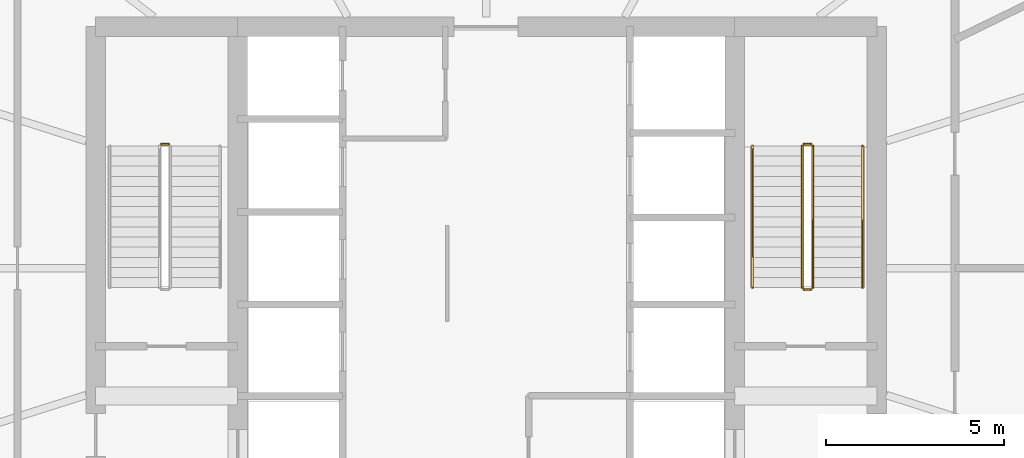
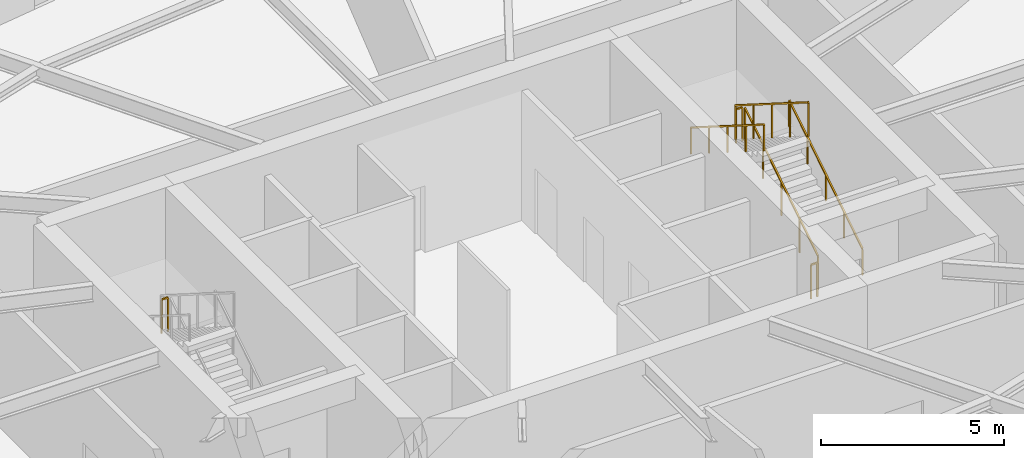
# One storey, part 25 of 25: 7 railings.
"""IFC4 building model written with IfcOpenShell, lengths in metres."""

from ifc_helpers import new_model, si_unit, direction, frame, origin, origin_2d, place, context, subcontext, project, spatial, rectangle, extrude, material, type_object, element, save


model = new_model("IFC4")

# Units and contexts
model_context = context("Model", 3, precision=1e-05, world=origin(), true_north=direction((0.0, 1.0)))
body_context = subcontext(model_context, "Body", "Model", "MODEL_VIEW")
ifc_project = project(units=[si_unit("LENGTHUNIT", "METRE"), si_unit("AREAUNIT", "SQUARE_METRE"), si_unit("VOLUMEUNIT", "CUBIC_METRE"), si_unit("PLANEANGLEUNIT", "RADIAN"), si_unit("MASSUNIT", "GRAM", prefix="KILO")], contexts=[model_context])

# Site, building, storey
site_placement = place(None, origin())
site = spatial("IfcSite", under=ifc_project, at=site_placement, CompositionType="ELEMENT")
building_placement = place(site_placement, origin())
building = spatial("IfcBuilding", under=site, at=building_placement, Name="Sarneth Arch Tower", CompositionType="ELEMENT")
storey_placement = place(building_placement, frame((0.0, 0.0, 134.39990234375)))
storey = spatial("IfcBuildingStorey", under=building, at=storey_placement, Name="L34", CompositionType="ELEMENT", Elevation=134.39990234375)

# Railings
ifc_material_1 = material(Name="Brushed Stainless Steel 304 tubular handrail", Category="steel")
railing_type_1 = type_object("IfcRailingType", Name="RAIL-HANDRAIL-900", PredefinedType="HANDRAIL", material=ifc_material_1)
railing_1_placement = place(storey_placement, frame((58.60009765625, 41.449951171875, 0.18017578125)))
element("IfcRailing", 1, at=railing_1_placement, inside=storey, type_object=railing_type_1, Name="L34 ST-2 stair handrail 1", PredefinedType="HANDRAIL", context=body_context, shape_type="SweptSolid", body=[
    extrude(rectangle(XDim=0.048095703125, YDim=0.048095703125, at=origin_2d()), frame((0.0, 0.0, 0.8759765625), z_axis=(0.0, 0.845486444383, 0.533996884227), x_axis=(-1.0, 0.0, 0.0)), (0.0, 0.0, 1.0), 4.71923828125),
    extrude(rectangle(XDim=0.0419921875, YDim=0.0419921875, at=origin_2d()), origin(), (0.0, 0.0, 1.0), 0.851806640625),
    extrude(rectangle(XDim=0.0419921875, YDim=0.0419921875, at=origin_2d()), frame((0.0, 0.99755859375, 0.6298828125)), (0.0, 0.0, 1.0), 0.851806640625),
    extrude(rectangle(XDim=0.0419921875, YDim=0.0419921875, at=origin_2d()), frame((0.0, 1.9951171875, 1.260009765625)), (0.0, 0.0, 1.0), 0.851806640625),
    extrude(rectangle(XDim=0.0419921875, YDim=0.0419921875, at=origin_2d()), frame((0.0, 2.992431640625, 1.89013671875)), (0.0, 0.0, 1.0), 0.851806640625),
    extrude(rectangle(XDim=0.0419921875, YDim=0.0419921875, at=origin_2d()), frame((0.0, 3.989990234375, 2.52001953125)), (0.0, 0.0, 1.0), 0.851806640625),
])
railing_2_placement = place(storey_placement, frame((55.5, 45.43994140625, 2.880126953125)))
element("IfcRailing", 2, at=railing_2_placement, inside=storey, type_object=railing_type_1, Name="L34 ST-2 stair handrail 2", PredefinedType="HANDRAIL", context=body_context, shape_type="SweptSolid", body=[
    extrude(rectangle(XDim=0.048095703125, YDim=0.048095703125, at=origin_2d()), frame((0.0, 0.0, 0.8759765625), z_axis=(0.0, -0.845486444383, 0.533996884227), x_axis=(1.0, 0.0, 0.0)), (0.0, 0.0, 1.0), 4.71923828125),
    extrude(rectangle(XDim=0.0419921875, YDim=0.0419921875, at=origin_2d()), origin(), (0.0, 0.0, 1.0), 0.851806640625),
    extrude(rectangle(XDim=0.0419921875, YDim=0.0419921875, at=origin_2d()), frame((0.0, -0.99755859375, 0.6298828125)), (0.0, 0.0, 1.0), 0.851806640625),
    extrude(rectangle(XDim=0.0419921875, YDim=0.0419921875, at=origin_2d()), frame((0.0, -1.9951171875, 1.260009765625)), (0.0, 0.0, 1.0), 0.851806640625),
    extrude(rectangle(XDim=0.0419921875, YDim=0.0419921875, at=origin_2d()), frame((0.0, -2.992431640625, 1.89013671875)), (0.0, 0.0, 1.0), 0.851806640625),
    extrude(rectangle(XDim=0.0419921875, YDim=0.0419921875, at=origin_2d()), frame((0.0, -3.989990234375, 2.52001953125)), (0.0, 0.0, 1.0), 0.851806640625),
])
ifc_material_2 = material(Name="Painted Steel S275 stair well guard", Category="steel")
railing_type_2 = type_object("IfcRailingType", Name="RAIL-STAIR-GUARD", PredefinedType="GUARDRAIL", material=ifc_material_2)
railing_3_placement = place(storey_placement, frame((39.050048828125, 45.489990234375, 2.7001953125)))
element("IfcRailing", 3, at=railing_3_placement, inside=storey, type_object=railing_type_2, Name="L34 ST-1 stair guard 2", PredefinedType="GUARDRAIL", context=body_context, shape_type="SweptSolid", body=[
    extrude(rectangle(XDim=0.048095703125, YDim=0.048095703125, at=origin_2d()), frame((0.0, 0.0, 1.1259765625), z_axis=(-1.0, 0.0, 0.0), x_axis=(0.0, -1.0, 0.0)), (0.0, 0.0, 1.0), 0.199951171875),
    extrude(rectangle(XDim=0.0419921875, YDim=0.0419921875, at=origin_2d()), origin(), (0.0, 0.0, 1.0), 1.101806640625),
    extrude(rectangle(XDim=0.0419921875, YDim=0.0419921875, at=origin_2d()), frame((-0.199951171875, 0.0, 0.0)), (0.0, 0.0, 1.0), 1.101806640625),
])
railing_4_placement = place(storey_placement, frame((57.199951171875, 41.449951171875, 0.18017578125)))
element("IfcRailing", 4, at=railing_4_placement, inside=storey, type_object=railing_type_2, Name="L34 ST-2 stair guard 1", PredefinedType="GUARDRAIL", context=body_context, shape_type="SweptSolid", body=[
    extrude(rectangle(XDim=0.048095703125, YDim=0.048095703125, at=origin_2d()), frame((0.0, 0.0, 1.1259765625), z_axis=(0.0, 0.845486444383, 0.533996884227), x_axis=(-1.0, 0.0, 0.0)), (0.0, 0.0, 1.0), 4.71923828125),
    extrude(rectangle(XDim=0.0419921875, YDim=0.0419921875, at=origin_2d()), origin(), (0.0, 0.0, 1.0), 1.101806640625),
    extrude(rectangle(XDim=0.0419921875, YDim=0.0419921875, at=origin_2d()), frame((0.0, 0.99755859375, 0.6298828125)), (0.0, 0.0, 1.0), 1.101806640625),
    extrude(rectangle(XDim=0.0419921875, YDim=0.0419921875, at=origin_2d()), frame((0.0, 1.9951171875, 1.260009765625)), (0.0, 0.0, 1.0), 1.101806640625),
    extrude(rectangle(XDim=0.0419921875, YDim=0.0419921875, at=origin_2d()), frame((0.0, 2.992431640625, 1.89013671875)), (0.0, 0.0, 1.0), 1.101806640625),
    extrude(rectangle(XDim=0.0419921875, YDim=0.0419921875, at=origin_2d()), frame((0.0, 3.989990234375, 2.52001953125)), (0.0, 0.0, 1.0), 1.101806640625),
])
railing_5_placement = place(storey_placement, frame((57.14990234375, 45.489990234375, 2.7001953125)))
element("IfcRailing", 5, at=railing_5_placement, inside=storey, type_object=railing_type_2, Name="L34 ST-2 stair guard 2", PredefinedType="GUARDRAIL", context=body_context, shape_type="SweptSolid", body=[
    extrude(rectangle(XDim=0.048095703125, YDim=0.048095703125, at=origin_2d()), frame((0.0, 0.0, 1.1259765625), z_axis=(-1.0, 0.0, 0.0), x_axis=(0.0, -1.0, 0.0)), (0.0, 0.0, 1.0), 0.199951171875),
    extrude(rectangle(XDim=0.0419921875, YDim=0.0419921875, at=origin_2d()), origin(), (0.0, 0.0, 1.0), 1.101806640625),
    extrude(rectangle(XDim=0.0419921875, YDim=0.0419921875, at=origin_2d()), frame((-0.199951171875, 0.0, 0.0)), (0.0, 0.0, 1.0), 1.101806640625),
])
railing_6_placement = place(storey_placement, frame((56.89990234375, 45.43994140625, 2.880126953125)))
element("IfcRailing", 6, at=railing_6_placement, inside=storey, type_object=railing_type_2, Name="L34 ST-2 stair guard 3", PredefinedType="GUARDRAIL", context=body_context, shape_type="SweptSolid", body=[
    extrude(rectangle(XDim=0.048095703125, YDim=0.048095703125, at=origin_2d()), frame((0.0, 0.0, 1.1259765625), z_axis=(0.0, -0.845486444383, 0.533996884227), x_axis=(1.0, 0.0, 0.0)), (0.0, 0.0, 1.0), 4.71923828125),
    extrude(rectangle(XDim=0.0419921875, YDim=0.0419921875, at=origin_2d()), origin(), (0.0, 0.0, 1.0), 1.101806640625),
    extrude(rectangle(XDim=0.0419921875, YDim=0.0419921875, at=origin_2d()), frame((0.0, -0.99755859375, 0.6298828125)), (0.0, 0.0, 1.0), 1.101806640625),
    extrude(rectangle(XDim=0.0419921875, YDim=0.0419921875, at=origin_2d()), frame((0.0, -1.9951171875, 1.260009765625)), (0.0, 0.0, 1.0), 1.101806640625),
    extrude(rectangle(XDim=0.0419921875, YDim=0.0419921875, at=origin_2d()), frame((0.0, -2.992431640625, 1.89013671875)), (0.0, 0.0, 1.0), 1.101806640625),
    extrude(rectangle(XDim=0.0419921875, YDim=0.0419921875, at=origin_2d()), frame((0.0, -3.989990234375, 2.52001953125)), (0.0, 0.0, 1.0), 1.101806640625),
])
railing_7_placement = place(storey_placement, frame((57.14990234375, 41.39990234375, 0.0)))
element("IfcRailing", 7, at=railing_7_placement, inside=storey, type_object=railing_type_2, Name="L34 ST-2 stair guard 4", PredefinedType="GUARDRAIL", context=body_context, shape_type="SweptSolid", body=[
    extrude(rectangle(XDim=0.048095703125, YDim=0.048095703125, at=origin_2d()), frame((0.0, 0.0, 1.1259765625), z_axis=(-1.0, 0.0, 0.0), x_axis=(0.0, -1.0, 0.0)), (0.0, 0.0, 1.0), 0.199951171875),
    extrude(rectangle(XDim=0.0419921875, YDim=0.0419921875, at=origin_2d()), origin(), (0.0, 0.0, 1.0), 1.101806640625),
    extrude(rectangle(XDim=0.0419921875, YDim=0.0419921875, at=origin_2d()), frame((-0.199951171875, 0.0, 0.0)), (0.0, 0.0, 1.0), 1.101806640625),
])

save(model, "model.ifc")
